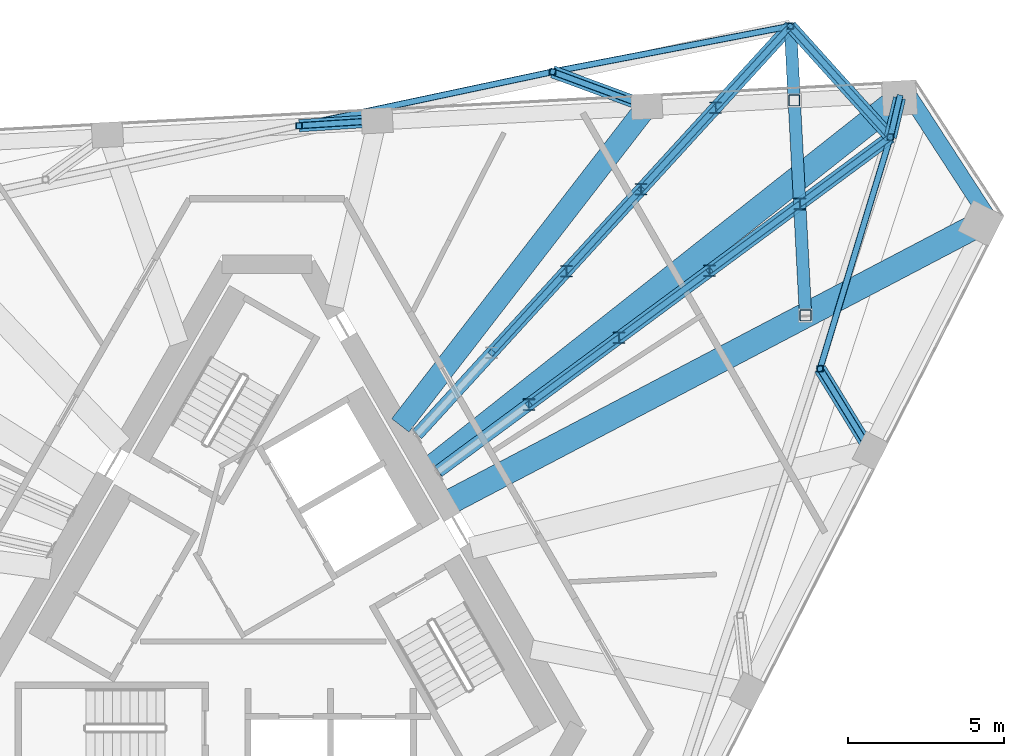
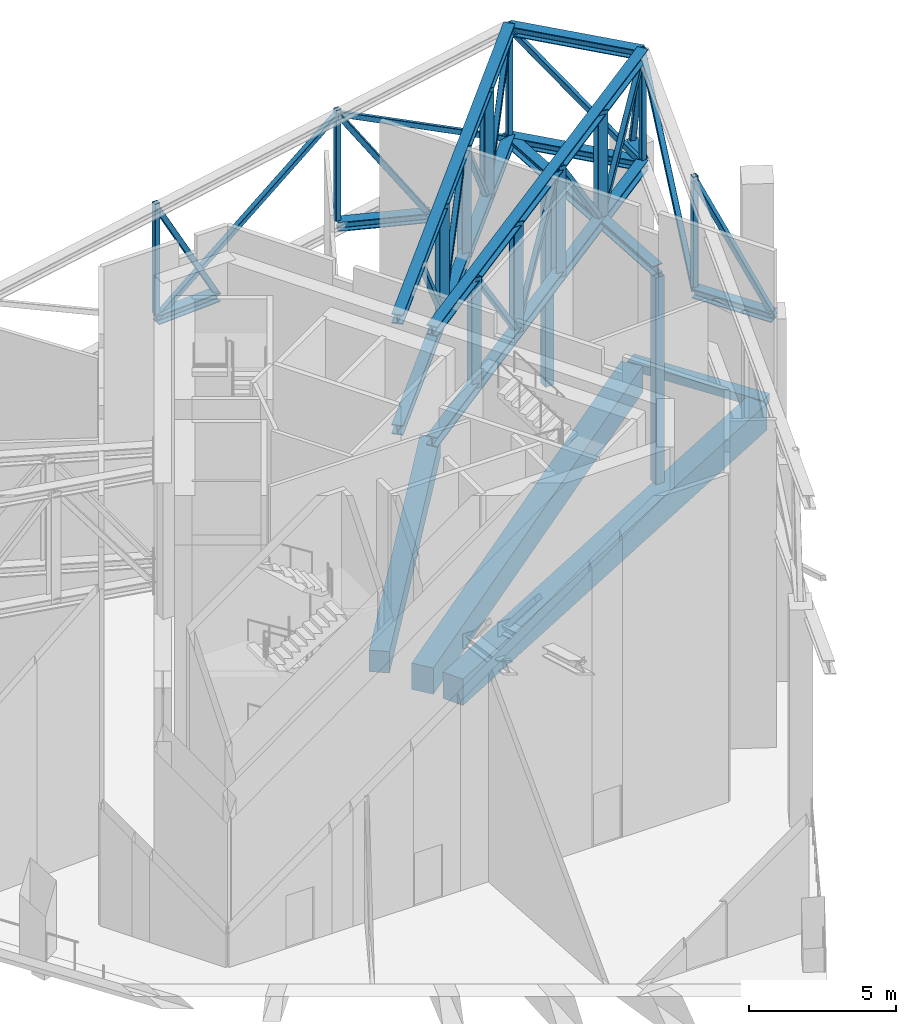
# One storey, part 13 of 23: 41 members, 4 beams.
"""IFC4 building model written with IfcOpenShell, lengths in metres."""

from ifc_helpers import new_model, si_unit, direction, frame, origin, origin_2d, place, context, subcontext, project, spatial, rectangle, hollow_rectangle, i_section, extrude, material, material_profile, profile_set, type_object, element, save


model = new_model("IFC4")

# Units and contexts
model_context = context("Model", 3, precision=1e-05, world=origin(), true_north=direction((0.0, 1.0)))
body_context = subcontext(model_context, "Body", "Model", "MODEL_VIEW")
ifc_project = project(units=[si_unit("LENGTHUNIT", "METRE"), si_unit("AREAUNIT", "SQUARE_METRE"), si_unit("VOLUMEUNIT", "CUBIC_METRE"), si_unit("PLANEANGLEUNIT", "RADIAN"), si_unit("MASSUNIT", "GRAM", prefix="KILO")], contexts=[model_context])

# Site, building, storey
site_placement = place(None, origin())
site = spatial("IfcSite", under=ifc_project, at=site_placement, CompositionType="ELEMENT")
building_placement = place(site_placement, origin())
building = spatial("IfcBuilding", under=site, at=building_placement, Name="Tramontana Tower", CompositionType="ELEMENT")
storey_placement = place(building_placement, frame((0.0, 0.0, 306.39990234375)))
storey = spatial("IfcBuildingStorey", under=building, at=storey_placement, Name="L72", CompositionType="ELEMENT", Elevation=306.39990234375)

# Members
ifc_material_1 = material(Name="Steel ASTM A500 Grade C", Category="steel")
ifc_material_profile_1 = material_profile(ifc_material_1, hollow_rectangle(XDim=0.203125, YDim=0.203125, WallThickness=0.0087890625, InnerFilletRadius=0.0087890625, OuterFilletRadius=0.017822265625, at=origin_2d()), Name="HSS8X8X3/8")
ifc_profile_set_1 = profile_set([ifc_material_profile_1], Name="Steel ASTM A500 Grade C")
member_type_1 = type_object("IfcMemberType", Name="Belt truss HSS8X8X3/8 brace", PredefinedType="BRACE", material=ifc_profile_set_1)
for number, where, z_axis, x_axis, name in (
    (1, (17.739013671875, 7.348876953125, 8.84375), (0.249846688561, 0.822658673554, 0.510694956938), (-0.956844677261, 0.29059983413, 0.0), "Belt truss diagonal S1.5"),
    (2, (16.7880859375, 18.34130859375, 8.84375), (-0.844273076341, -0.162480804953, 0.510688712023), (0.188982657826, -0.981980424978, 0.0), "Belt truss diagonal S2.1"),
):
    element("IfcMember", number, at=place(storey_placement, frame(where, z_axis=z_axis, x_axis=x_axis)), inside=storey, type_object=member_type_1, Name=name, PredefinedType="BRACE", context=body_context, shape_type="SweptSolid", body=[
        extrude(hollow_rectangle(XDim=0.203125, YDim=0.203125, WallThickness=0.0087890625, InnerFilletRadius=0.0087890625, OuterFilletRadius=0.017822265625, at=origin_2d()), origin(), (0.0, 0.0, 1.0), 9.031982421875),
    ])
member_1_placement = place(storey_placement, frame((9.16259765625, 16.873779296875, 13.456298828125), z_axis=(-0.855325865584, -0.181803930719, -0.485144302695), x_axis=(0.207910383976, -0.978147878511, 0.0)))
element("IfcMember", 3, at=member_1_placement, inside=storey, type_object=member_type_1, Name="Belt truss diagonal S2.2", PredefinedType="BRACE", context=body_context, shape_type="SweptSolid", body=[
    extrude(hollow_rectangle(XDim=0.203125, YDim=0.203125, WallThickness=0.0087890625, InnerFilletRadius=0.0087890625, OuterFilletRadius=0.017822265625, at=origin_2d()), origin(), (0.0, 0.0, 1.0), 9.507568359375),
])
member_2_placement = place(storey_placement, frame((19.99560546875, 14.779052734375, 8.84375), z_axis=(-0.48216503971, 0.53549018834, 0.693373732321), x_axis=(-0.74313964398, -0.669136360949, 0.0)))
element("IfcMember", 4, at=member_2_placement, inside=storey, type_object=member_type_1, Name="Belt truss diagonal K2.1", PredefinedType="BRACE", context=body_context, shape_type="SweptSolid", body=[
    extrude(hollow_rectangle(XDim=0.203125, YDim=0.203125, WallThickness=0.0087890625, InnerFilletRadius=0.0087890625, OuterFilletRadius=0.017822265625, at=origin_2d()), origin(), (0.0, 0.0, 1.0), 6.65234375),
])
ifc_material_2 = material(Name="Steel ASTM A500 Grade C", Category="steel")
ifc_material_profile_2 = material_profile(ifc_material_2, hollow_rectangle(XDim=0.203125, YDim=0.203125, WallThickness=0.0087890625, InnerFilletRadius=0.0087890625, OuterFilletRadius=0.017822265625, at=origin_2d()), Name="HSS8X8X3/8")
ifc_profile_set_2 = profile_set([ifc_material_profile_2], Name="Steel ASTM A500 Grade C")
member_type_2 = type_object("IfcMemberType", Name="Belt truss HSS8X8X3/8 post", PredefinedType="POST", material=ifc_profile_set_2)
for number, where, z_axis, x_axis, name in (
    (5, (17.739013671875, 7.348876953125, 9.037353515625), (0.0, 0.0, 1.0), (1.0, 0.0, 0.0), "Belt truss post C8F08"),
    (6, (19.99560546875, 14.779052734375, 9.037353515625), (0.0, 0.0, 1.0), (1.0, 0.0, 0.0), "Belt truss post C8K4"),
    (7, (16.7880859375, 18.34130859375, 9.037353515625), (0.0, 0.0, 1.0), (1.0, 0.0, 0.0), "Belt truss post C8K5"),
    (8, (9.16259765625, 16.873779296875, 9.037353515625), (0.0, 0.0, 1.0), (1.0, 0.0, 0.0), "Belt truss post C8F09"),
    (9, (1.030517578125, 15.145263671875, 9.037353515625), (0.0, 0.0, 1.0), (1.0, 0.0, 0.0), "Belt truss post C8F10"),
):
    element("IfcMember", number, at=place(storey_placement, frame(where, z_axis=z_axis, x_axis=x_axis)), inside=storey, type_object=member_type_2, Name=name, PredefinedType="POST", context=body_context, shape_type="SweptSolid", body=[
        extrude(hollow_rectangle(XDim=0.203125, YDim=0.203125, WallThickness=0.0087890625, InnerFilletRadius=0.0087890625, OuterFilletRadius=0.017822265625, at=origin_2d()), origin(), (0.0, 0.0, 1.0), 4.61279296875),
    ])
ifc_material_3 = material(Name="Steel ASTM A992 Grade 50", Category="steel")
ifc_material_profile_3 = material_profile(ifc_material_3, i_section(OverallWidth=0.39697265625, OverallDepth=0.387451171875, WebThickness=0.020751953125, FlangeThickness=0.033447265625, FilletRadius=0.01513671875, at=origin_2d()), Name="W14X176")
ifc_profile_set_3 = profile_set([ifc_material_profile_3], Name="Steel ASTM A992 Grade 50")
member_type_3 = type_object("IfcMemberType", Name="Belt truss W14X176 chord", PredefinedType="CHORD", material=ifc_profile_set_3)
for number, where, z_axis, x_axis, name in (
    (10, (19.99560546875, 14.779052734375, 8.84375), (-0.669136360949, 0.74313964398, 0.0), (-0.74313964398, -0.669136360949, 0.0), "Belt truss bottom chord K2"),
    (11, (19.99560546875, 14.779052734375, 13.456298828125), (-0.669136360949, 0.74313964398, 0.0), (-0.74313964398, -0.669136360949, 0.0), "Belt truss top chord K2"),
):
    element("IfcMember", number, at=place(storey_placement, frame(where, z_axis=z_axis, x_axis=x_axis)), inside=storey, type_object=member_type_3, Name=name, PredefinedType="CHORD", context=body_context, shape_type="SweptSolid", body=[
        extrude(i_section(OverallWidth=0.39697265625, OverallDepth=0.387451171875, WebThickness=0.020751953125, FlangeThickness=0.033447265625, FilletRadius=0.01513671875, at=origin_2d()), origin(), (0.0, 0.0, 1.0), 4.79345703125),
    ])
ifc_material_4 = material(Name="Steel ASTM A500 Grade C", Category="steel")
ifc_material_profile_4 = material_profile(ifc_material_4, hollow_rectangle(XDim=0.203125, YDim=0.203125, WallThickness=0.0087890625, InnerFilletRadius=0.0087890625, OuterFilletRadius=0.017822265625, at=origin_2d()), Name="HSS8X8X3/8")
ifc_profile_set_4 = profile_set([ifc_material_profile_4], Name="Steel ASTM A500 Grade C")
member_type_4 = type_object("IfcMemberType", Name="Outrigger truss HSS8X8X3/8 brace", PredefinedType="BRACE", material=ifc_profile_set_4)
for number, where, z_axis, x_axis, name in (
    (12, (8.397216796875, 6.201904296875, 13.456298828125), (0.495240690137, 0.366228759912, -0.78779004452), (-0.594581390086, 0.804035428674, 0.0), "Outrigger truss diagonal 3.2"),
    (13, (11.296875, 8.34619140625, 8.84375), (0.495209218564, 0.366236322553, 0.787806312422), (-0.594613754824, 0.804011494056, 0.0), "Outrigger truss diagonal 3.3"),
    (14, (14.1962890625, 10.490478515625, 13.456298828125), (0.495240690137, 0.366228759912, -0.78779004452), (-0.594581390086, 0.804035428674, 0.0), "Outrigger truss diagonal 3.4"),
    (15, (17.095947265625, 12.634765625, 8.84375), (0.495240690137, 0.366228759912, 0.78779004452), (-0.594581390086, 0.804035428674, 0.0), "Outrigger truss diagonal 3.5"),
):
    element("IfcMember", number, at=place(storey_placement, frame(where, z_axis=z_axis, x_axis=x_axis)), inside=storey, type_object=member_type_4, Name=name, PredefinedType="BRACE", context=body_context, shape_type="SweptSolid", body=[
        extrude(hollow_rectangle(XDim=0.203125, YDim=0.203125, WallThickness=0.0087890625, InnerFilletRadius=0.0087890625, OuterFilletRadius=0.017822265625, at=origin_2d()), origin(), (0.0, 0.0, 1.0), 5.85498046875),
    ])
for number, where, z_axis, x_axis, name in (
    (16, (7.208984375, 7.861572265625, 13.456298828125), (0.411461951754, 0.450137445639, -0.792512045519), (-0.738104165286, 0.674686772649, 0.0), "Outrigger truss diagonal 4.2"),
    (17, (9.603759765625, 10.4814453125, 8.84375), (0.411461951754, 0.450137445639, 0.792512045519), (-0.738104165286, 0.674686772649, 0.0), "Outrigger truss diagonal 4.3"),
    (18, (11.99853515625, 13.101318359375, 13.456298828125), (0.411461951754, 0.450137445639, -0.792512045519), (-0.738104165286, 0.674686772649, 0.0), "Outrigger truss diagonal 4.4"),
):
    element("IfcMember", number, at=place(storey_placement, frame(where, z_axis=z_axis, x_axis=x_axis)), inside=storey, type_object=member_type_4, Name=name, PredefinedType="BRACE", context=body_context, shape_type="SweptSolid", body=[
        extrude(hollow_rectangle(XDim=0.203125, YDim=0.203125, WallThickness=0.0087890625, InnerFilletRadius=0.0087890625, OuterFilletRadius=0.017822265625, at=origin_2d()), origin(), (0.0, 0.0, 1.0), 5.820068359375),
    ])
member_3_placement = place(storey_placement, frame((14.393310546875, 15.72119140625, 8.84375), z_axis=(0.41145418235, 0.450170892546, 0.792497080961), x_axis=(-0.738135472814, 0.674652520764, 0.0)))
element("IfcMember", 19, at=member_3_placement, inside=storey, type_object=member_type_4, Name="Outrigger truss diagonal 4.5", PredefinedType="BRACE", context=body_context, shape_type="SweptSolid", body=[
    extrude(hollow_rectangle(XDim=0.203125, YDim=0.203125, WallThickness=0.0087890625, InnerFilletRadius=0.0087890625, OuterFilletRadius=0.017822265625, at=origin_2d()), origin(), (0.0, 0.0, 1.0), 5.8203125),
])
ifc_material_5 = material(Name="Steel ASTM A992 Grade 50", Category="steel")
ifc_material_profile_5 = material_profile(ifc_material_5, i_section(OverallWidth=0.4033203125, OverallDepth=0.406494140625, WebThickness=0.027099609375, FlangeThickness=0.04443359375, FilletRadius=0.01513671875, at=origin_2d()), Name="W14X233")
ifc_profile_set_5 = profile_set([ifc_material_profile_5], Name="Steel ASTM A992 Grade 50")
member_type_5 = type_object("IfcMemberType", Name="Outrigger truss W14X233 chord", PredefinedType="CHORD", material=ifc_profile_set_5)
for number, where, z_axis, x_axis, name in (
    (20, (5.497802734375, 4.057861328125, 8.84375), (0.804032328197, 0.59458558275, 0.0), (-0.59458558275, 0.804032328197, 0.0), "Outrigger truss bottom chord 3"),
    (21, (5.497802734375, 4.057861328125, 13.456298828125), (0.804032328197, 0.59458558275, 0.0), (-0.59458558275, 0.804032328197, 0.0), "Outrigger truss top chord 3"),
):
    element("IfcMember", number, at=place(storey_placement, frame(where, z_axis=z_axis, x_axis=x_axis)), inside=storey, type_object=member_type_5, Name=name, PredefinedType="CHORD", context=body_context, shape_type="SweptSolid", body=[
        extrude(i_section(OverallWidth=0.4033203125, OverallDepth=0.406494140625, WebThickness=0.027099609375, FlangeThickness=0.04443359375, FilletRadius=0.01513671875, at=origin_2d()), origin(), (0.0, 0.0, 1.0), 18.03125),
    ])
for number, where, z_axis, x_axis, name in (
    (22, (4.814208984375, 5.24169921875, 8.84375), (0.67467992211, 0.738110427173, 0.0), (-0.738110427173, 0.67467992211, 0.0), "Outrigger truss bottom chord 4"),
    (23, (4.814208984375, 5.24169921875, 13.456298828125), (0.67467992211, 0.738110427173, 0.0), (-0.738110427173, 0.67467992211, 0.0), "Outrigger truss top chord 4"),
):
    element("IfcMember", number, at=place(storey_placement, frame(where, z_axis=z_axis, x_axis=x_axis)), inside=storey, type_object=member_type_5, Name=name, PredefinedType="CHORD", context=body_context, shape_type="SweptSolid", body=[
        extrude(i_section(OverallWidth=0.4033203125, OverallDepth=0.406494140625, WebThickness=0.027099609375, FlangeThickness=0.04443359375, FilletRadius=0.01513671875, at=origin_2d()), origin(), (0.0, 0.0, 1.0), 17.74755859375),
    ])
ifc_material_6 = material(Name="Steel ASTM A992 Grade 50", Category="steel")
ifc_material_profile_6 = material_profile(ifc_material_6, i_section(OverallWidth=0.368408203125, OverallDepth=0.355712890625, WebThickness=0.01123046875, FlangeThickness=0.017578125, FilletRadius=0.01513671875, at=origin_2d()), Name="W14X90")
ifc_profile_set_6 = profile_set([ifc_material_profile_6], Name="Steel ASTM A992 Grade 50")
member_type_6 = type_object("IfcMemberType", Name="Outrigger truss W14X90 post", PredefinedType="POST", material=ifc_profile_set_6)
for number, where, z_axis, x_axis, name in (
    (24, (8.397216796875, 6.201904296875, 8.84375), (0.0, 0.0, 1.0), (1.0, 0.0, 0.0), "Outrigger truss post 3.1"),
    (25, (11.296875, 8.34619140625, 8.84375), (0.0, 0.0, 1.0), (1.0, 0.0, 0.0), "Outrigger truss post 3.2"),
    (26, (14.1962890625, 10.490478515625, 8.84375), (0.0, 0.0, 1.0), (1.0, 0.0, 0.0), "Outrigger truss post 3.3"),
    (27, (17.095947265625, 12.634765625, 8.84375), (0.0, 0.0, 1.0), (1.0, 0.0, 0.0), "Outrigger truss post 3.4"),
    (28, (9.603759765625, 10.4814453125, 8.84375), (0.0, 0.0, 1.0), (1.0, 0.0, 0.0), "Outrigger truss post 4.2"),
    (29, (11.99853515625, 13.101318359375, 8.84375), (0.0, 0.0, 1.0), (1.0, 0.0, 0.0), "Outrigger truss post 4.3"),
    (30, (14.393310546875, 15.72119140625, 8.84375), (0.0, 0.0, 1.0), (1.0, 0.0, 0.0), "Outrigger truss post 4.4"),
):
    element("IfcMember", number, at=place(storey_placement, frame(where, z_axis=z_axis, x_axis=x_axis)), inside=storey, type_object=member_type_6, Name=name, PredefinedType="POST", context=body_context, shape_type="SweptSolid", body=[
        extrude(i_section(OverallWidth=0.368408203125, OverallDepth=0.355712890625, WebThickness=0.01123046875, FlangeThickness=0.017578125, FilletRadius=0.01513671875, at=origin_2d()), origin(), (0.0, 0.0, 1.0), 4.612548828125),
    ])

# Beams
ifc_material_7 = material(Name="Concrete 40 MPa", Category="concrete")
ifc_material_profile_7 = material_profile(ifc_material_7, rectangle(XDim=0.5, YDim=0.35009765625, at=origin_2d()), Name="RC EDGE BEAM 500X350 40 MPa")
ifc_profile_set_7 = profile_set([ifc_material_profile_7], Name="Concrete 40 MPa")
beam_type_1 = type_object("IfcBeamType", Name="RC EDGE BEAM 500X350 40 MPa", PredefinedType="SPANDREL", material=ifc_profile_set_7)
beam_1_placement = place(storey_placement, frame((23.262451171875, 12.0087890625, -0.52490234375), z_axis=(-0.544641495757, 0.838668969916, 0.0), x_axis=(-0.838668969916, -0.544641495757, 0.0)))
element("IfcBeam", 31, at=beam_1_placement, inside=storey, type_object=beam_type_1, Name="Spandrel beam K2 L72", PredefinedType="SPANDREL", context=body_context, shape_type="SweptSolid", body=[
    extrude(rectangle(XDim=0.5, YDim=0.35009765625, at=origin_2d()), origin(), (0.0, 0.0, 1.0), 5.1962890625),
])
ifc_material_8 = material(Name="Concrete 40 MPa", Category="concrete")
ifc_material_profile_8 = material_profile(ifc_material_8, rectangle(XDim=0.699951171875, YDim=0.89990234375, at=origin_2d()), Name="RC GIRDER 700X900 40 MPa")
ifc_profile_set_8 = profile_set([ifc_material_profile_8], Name="Concrete 40 MPa")
beam_type_2 = type_object("IfcBeamType", Name="RC GIRDER 700X900 40 MPa", PredefinedType="BEAM", material=ifc_profile_set_8)
beam_2_placement = place(storey_placement, frame((12.182373046875, 15.75927734375, -0.7998046875), z_axis=(-0.611594268049, -0.791171568808, 0.0), x_axis=(0.791171568808, -0.611594268049, 0.0)))
element("IfcBeam", 32, at=beam_2_placement, inside=storey, type_object=beam_type_2, Name="Radial girder C7F09 L72", PredefinedType="BEAM", context=body_context, shape_type="SweptSolid", body=[
    extrude(rectangle(XDim=0.699951171875, YDim=0.89990234375, at=origin_2d()), origin(), (0.0, 0.0, 1.0), 12.923583984375),
])
ifc_material_9 = material(Name="Concrete 40 MPa", Category="concrete")
ifc_material_profile_9 = material_profile(ifc_material_9, rectangle(XDim=0.800048828125, YDim=1.10009765625, at=origin_2d()), Name="RC GIRDER 800X1100 40 MPa")
ifc_profile_set_9 = profile_set([ifc_material_profile_9], Name="Concrete 40 MPa")
beam_type_3 = type_object("IfcBeamType", Name="RC GIRDER 800X1100 40 MPa", PredefinedType="BEAM", material=ifc_profile_set_9)
beam_3_placement = place(storey_placement, frame((22.89990234375, 12.013671875, -0.89990234375), z_axis=(-0.885538061337, -0.46456683257, 0.0), x_axis=(0.46456683257, -0.885538061337, 0.0)))
element("IfcBeam", 33, at=beam_3_placement, inside=storey, type_object=beam_type_3, Name="Radial girder C7K4 L72", PredefinedType="BEAM", context=body_context, shape_type="SweptSolid", body=[
    extrude(rectangle(XDim=0.800048828125, YDim=1.10009765625, at=origin_2d()), origin(), (0.0, 0.0, 1.0), 19.404296875),
])
beam_4_placement = place(storey_placement, frame((20.289306640625, 16.03369140625, -0.89990234375), z_axis=(-0.784585689125, -0.620020400003, 0.0), x_axis=(0.620020400003, -0.784585689125, 0.0)))
element("IfcBeam", 34, at=beam_4_placement, inside=storey, type_object=beam_type_3, Name="Radial girder C7K5 L72", PredefinedType="BEAM", context=body_context, shape_type="SweptSolid", body=[
    extrude(rectangle(XDim=0.800048828125, YDim=1.10009765625, at=origin_2d()), origin(), (0.0, 0.0, 1.0), 19.338134765625),
])

# Members
ifc_material_10 = material(Name="Steel ASTM A500 Grade C", Category="steel")
ifc_material_profile_10 = material_profile(ifc_material_10, hollow_rectangle(XDim=0.355712890625, YDim=0.355712890625, WallThickness=0.01171875, InnerFilletRadius=0.01171875, OuterFilletRadius=0.023681640625, at=origin_2d()), Name="HSS14X14X1/2")
ifc_profile_set_10 = profile_set([ifc_material_profile_10], Name="Steel ASTM A500 Grade C")
member_type_7 = type_object("IfcMemberType", Name="Transfer truss HSS14X14X1/2 post", PredefinedType="POST", material=ifc_profile_set_10)
for number, where, z_axis, x_axis, name in (
    (35, (16.9130859375, 15.95703125, 0.0400390625), (0.0, 0.0, 1.0), (1.0, 0.0, 0.0), "Transfer truss post C8K5.1"),
    (36, (17.2744140625, 9.0625, 0.0400390625), (0.0, 0.0, 1.0), (1.0, 0.0, 0.0), "Transfer truss post C8K5.2"),
):
    element("IfcMember", number, at=place(storey_placement, frame(where, z_axis=z_axis, x_axis=x_axis)), inside=storey, type_object=member_type_7, Name=name, PredefinedType="POST", context=body_context, shape_type="SweptSolid", body=[
        extrude(hollow_rectangle(XDim=0.355712890625, YDim=0.355712890625, WallThickness=0.01171875, InnerFilletRadius=0.01171875, OuterFilletRadius=0.023681640625, at=origin_2d()), origin(), (0.0, 0.0, 1.0), 8.610107421875),
    ])
ifc_material_11 = material(Name="Steel ASTM A500 Grade C", Category="steel")
ifc_material_profile_11 = material_profile(ifc_material_11, hollow_rectangle(XDim=0.203125, YDim=0.203125, WallThickness=0.0087890625, InnerFilletRadius=0.0087890625, OuterFilletRadius=0.017822265625, at=origin_2d()), Name="HSS8X8X3/8")
ifc_profile_set_11 = profile_set([ifc_material_profile_11], Name="Steel ASTM A500 Grade C")
member_type_8 = type_object("IfcMemberType", Name="Transfer truss HSS8X8X3/8 brace", PredefinedType="BRACE", material=ifc_profile_set_11)
member_4_placement = place(storey_placement, frame((19.351806640625, 4.71923828125, 8.84375), z_axis=(-0.290644250241, 0.473891798266, 0.831235516167), x_axis=(-0.852445383719, -0.522816284918, 0.0)))
element("IfcMember", 37, at=member_4_placement, inside=storey, type_object=member_type_8, Name="Transfer truss strut C8F08 diagonal", PredefinedType="BRACE", context=body_context, shape_type="SweptSolid", body=[
    extrude(hollow_rectangle(XDim=0.203125, YDim=0.203125, WallThickness=0.0087890625, InnerFilletRadius=0.0087890625, OuterFilletRadius=0.017822265625, at=origin_2d()), origin(), (0.0, 0.0, 1.0), 5.549072265625),
])
member_5_placement = place(storey_placement, frame((12.182373046875, 15.75927734375, 8.84375), z_axis=(-0.536881710292, 0.19814576825, 0.820058707458), x_axis=(-0.346239558581, -0.938146133645, 0.0)))
element("IfcMember", 38, at=member_5_placement, inside=storey, type_object=member_type_8, Name="Transfer truss strut C8F09 diagonal", PredefinedType="BRACE", context=body_context, shape_type="SweptSolid", body=[
    extrude(hollow_rectangle(XDim=0.203125, YDim=0.203125, WallThickness=0.0087890625, InnerFilletRadius=0.0087890625, OuterFilletRadius=0.017822265625, at=origin_2d()), origin(), (0.0, 0.0, 1.0), 5.624755859375),
])
member_6_placement = place(storey_placement, frame((3.533935546875, 15.305908203125, 8.84375), z_axis=(-0.476789496509, -0.030595620119, 0.878484879807), x_axis=(0.064038366855, -0.997947437278, 0.0)))
element("IfcMember", 39, at=member_6_placement, inside=storey, type_object=member_type_8, Name="Transfer truss strut C8F10 diagonal", PredefinedType="BRACE", context=body_context, shape_type="SweptSolid", body=[
    extrude(hollow_rectangle(XDim=0.203125, YDim=0.203125, WallThickness=0.0087890625, InnerFilletRadius=0.0087890625, OuterFilletRadius=0.017822265625, at=origin_2d()), origin(), (0.0, 0.0, 1.0), 5.25048828125),
])
member_7_placement = place(storey_placement, frame((20.289306640625, 16.03369140625, 8.84375), z_axis=(-0.061326330459, -0.261975072508, 0.963124157405), x_axis=(0.973677443892, -0.227930329831, 0.0)))
element("IfcMember", 40, at=member_7_placement, inside=storey, type_object=member_type_8, Name="Transfer truss strut C8K4 diagonal", PredefinedType="BRACE", context=body_context, shape_type="SweptSolid", body=[
    extrude(hollow_rectangle(XDim=0.203125, YDim=0.203125, WallThickness=0.0087890625, InnerFilletRadius=0.0087890625, OuterFilletRadius=0.017822265625, at=origin_2d()), origin(), (0.0, 0.0, 1.0), 4.7890625),
])
ifc_material_12 = material(Name="Steel ASTM A992 Grade 50", Category="steel")
ifc_material_profile_12 = material_profile(ifc_material_12, i_section(OverallWidth=0.39697265625, OverallDepth=0.387451171875, WebThickness=0.020751953125, FlangeThickness=0.033447265625, FilletRadius=0.01513671875, at=origin_2d()), Name="W14X176")
ifc_profile_set_12 = profile_set([ifc_material_profile_12], Name="Steel ASTM A992 Grade 50")
member_type_9 = type_object("IfcMemberType", Name="Transfer truss W14X176 chord", PredefinedType="CHORD", material=ifc_profile_set_12)
member_8_placement = place(storey_placement, frame((16.7880859375, 18.34130859375, 8.84375), z_axis=(0.052340933369, -0.998629273902, 0.0), x_axis=(0.998629273902, 0.052340933369, 0.0)))
element("IfcMember", 41, at=member_8_placement, inside=storey, type_object=member_type_9, Name="Transfer truss girder C8K5", PredefinedType="CHORD", context=body_context, shape_type="SweptSolid", body=[
    extrude(i_section(OverallWidth=0.39697265625, OverallDepth=0.387451171875, WebThickness=0.020751953125, FlangeThickness=0.033447265625, FilletRadius=0.01513671875, at=origin_2d()), origin(), (0.0, 0.0, 1.0), 9.29150390625),
])
ifc_material_13 = material(Name="Steel ASTM A992 Grade 50", Category="steel")
ifc_material_profile_13 = material_profile(ifc_material_13, i_section(OverallWidth=0.39697265625, OverallDepth=0.387451171875, WebThickness=0.020751953125, FlangeThickness=0.033447265625, FilletRadius=0.01513671875, at=origin_2d()), Name="W14X176")
ifc_profile_set_13 = profile_set([ifc_material_profile_13], Name="Steel ASTM A992 Grade 50")
member_type_10 = type_object("IfcMemberType", Name="Transfer truss W14X176 strut", PredefinedType="STRUT", material=ifc_profile_set_13)
member_9_placement = place(storey_placement, frame((19.351806640625, 4.71923828125, 8.84375), z_axis=(-0.522816284918, 0.852445383719, 0.0), x_axis=(-0.852445383719, -0.522816284918, 0.0)))
element("IfcMember", 42, at=member_9_placement, inside=storey, type_object=member_type_10, Name="Transfer truss strut C8F08 bottom", PredefinedType="STRUT", context=body_context, shape_type="SweptSolid", body=[
    extrude(i_section(OverallWidth=0.39697265625, OverallDepth=0.387451171875, WebThickness=0.020751953125, FlangeThickness=0.033447265625, FilletRadius=0.01513671875, at=origin_2d()), origin(), (0.0, 0.0, 1.0), 3.084716796875),
])
member_10_placement = place(storey_placement, frame((12.182373046875, 15.75927734375, 8.84375), z_axis=(-0.938146133645, 0.346239558581, 0.0), x_axis=(-0.346239558581, -0.938146133645, 0.0)))
element("IfcMember", 43, at=member_10_placement, inside=storey, type_object=member_type_10, Name="Transfer truss strut C8F09 bottom", PredefinedType="STRUT", context=body_context, shape_type="SweptSolid", body=[
    extrude(i_section(OverallWidth=0.39697265625, OverallDepth=0.387451171875, WebThickness=0.020751953125, FlangeThickness=0.033447265625, FilletRadius=0.01513671875, at=origin_2d()), origin(), (0.0, 0.0, 1.0), 3.218994140625),
])
member_11_placement = place(storey_placement, frame((3.533935546875, 15.305908203125, 8.84375), z_axis=(-0.997947437278, -0.064038366855, 0.0), x_axis=(0.064038366855, -0.997947437278, 0.0)))
element("IfcMember", 44, at=member_11_placement, inside=storey, type_object=member_type_10, Name="Transfer truss strut C8F10 bottom", PredefinedType="STRUT", context=body_context, shape_type="SweptSolid", body=[
    extrude(i_section(OverallWidth=0.39697265625, OverallDepth=0.387451171875, WebThickness=0.020751953125, FlangeThickness=0.033447265625, FilletRadius=0.01513671875, at=origin_2d()), origin(), (0.0, 0.0, 1.0), 2.508544921875),
])
member_12_placement = place(storey_placement, frame((20.289306640625, 16.03369140625, 8.84375), z_axis=(-0.227930329831, -0.973677443892, 0.0), x_axis=(0.973677443892, -0.227930329831, 0.0)))
element("IfcMember", 45, at=member_12_placement, inside=storey, type_object=member_type_10, Name="Transfer truss strut C8K4 bottom", PredefinedType="STRUT", context=body_context, shape_type="SweptSolid", body=[
    extrude(i_section(OverallWidth=0.39697265625, OverallDepth=0.387451171875, WebThickness=0.020751953125, FlangeThickness=0.033447265625, FilletRadius=0.01513671875, at=origin_2d()), origin(), (0.0, 0.0, 1.0), 1.28857421875),
])

save(model, "model.ifc")
